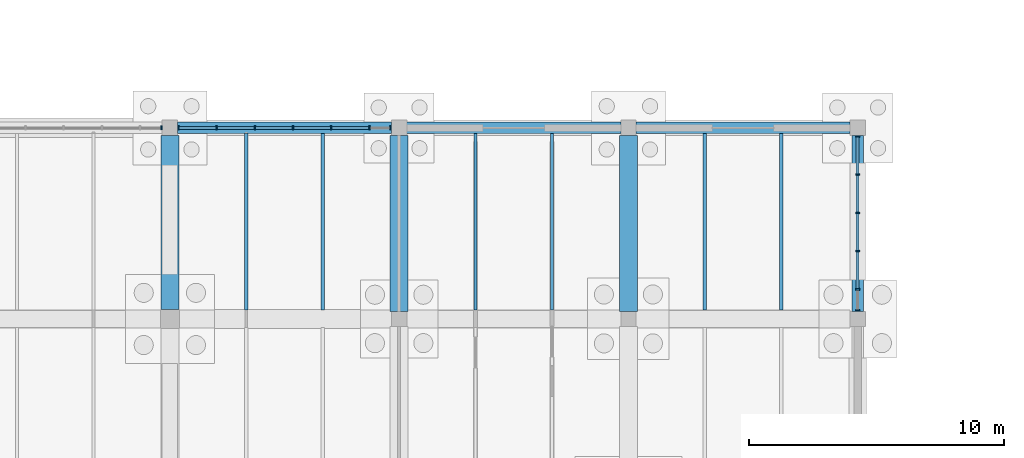
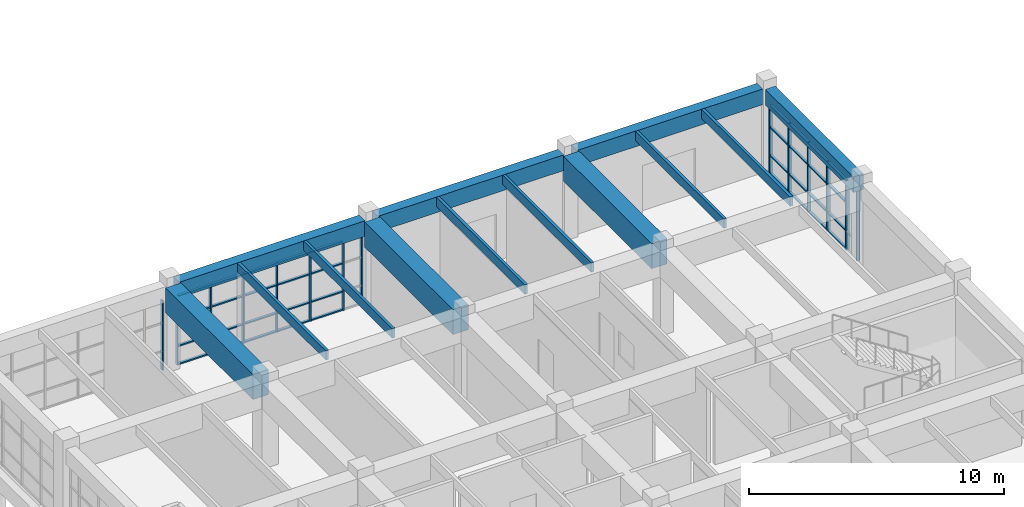
# One storey, part 38 of 93: 50 members, 13 beams, 3 elements without a shape of their own.
"""IFC4 building model written with IfcOpenShell, lengths in metres."""

from ifc_helpers import new_model, si_unit, direction, frame, origin, origin_2d, place, context, subcontext, project, spatial, rectangle, extrude, material, layer, layer_set, material_profile, profile_set, type_object, element, aggregate, save


model = new_model("IFC4")

# Units and contexts
model_context = context("Model", 3, precision=1e-05, world=origin(), true_north=direction((0.0, 1.0)))
body_context = subcontext(model_context, "Body", "Model", "MODEL_VIEW")
ifc_project = project(units=[si_unit("LENGTHUNIT", "METRE"), si_unit("AREAUNIT", "SQUARE_METRE"), si_unit("VOLUMEUNIT", "CUBIC_METRE"), si_unit("PLANEANGLEUNIT", "RADIAN"), si_unit("MASSUNIT", "GRAM", prefix="KILO")], contexts=[model_context])

# Site, building, storey
site_placement = place(None, origin())
site = spatial("IfcSite", under=ifc_project, at=site_placement, CompositionType="ELEMENT")
building_placement = place(site_placement, origin())
building = spatial("IfcBuilding", under=site, at=building_placement, Name="Marnridge Secondary College", CompositionType="ELEMENT")
storey_placement = place(building_placement, origin())
storey = spatial("IfcBuildingStorey", under=building, at=storey_placement, Name="L00", CompositionType="ELEMENT", Elevation=0.0)

# Beams
ifc_material_1 = material(Name="Engineered timber LVL E13.2", Category="wood")
ifc_material_profile_1 = material_profile(ifc_material_1, rectangle(XDim=0.1259765625, YDim=0.449951171875, at=origin_2d()), Name="LVL 126x450")
ifc_profile_set_1 = profile_set([ifc_material_profile_1], Name="Engineered timber LVL E13.2")
beam_type_1 = type_object("IfcBeamType", Name="BM-LVL450-INT", PredefinedType="JOIST", material=ifc_profile_set_1)
for number, where, z_axis, x_axis, name in (
    (1, (66.0, 75.343994140625, 3.85498046875), (0.0, 1.0, 0.0), (-1.0, 0.0, 0.0), "Beam BJ-L00-0112"),
    (2, (69.0, 75.343994140625, 3.85498046875), (0.0, 1.0, 0.0), (-1.0, 0.0, 0.0), "Beam BJ-L00-0113"),
    (3, (75.0, 75.343994140625, 3.85498046875), (0.0, 1.0, 0.0), (-1.0, 0.0, 0.0), "Beam BJ-L00-0124"),
    (4, (78.0, 75.343994140625, 3.85498046875), (0.0, 1.0, 0.0), (-1.0, 0.0, 0.0), "Beam BJ-L00-0125"),
    (5, (84.0, 75.343994140625, 3.85498046875), (0.0, 1.0, 0.0), (-1.0, 0.0, 0.0), "Beam BJ-L00-0134"),
    (6, (87.0, 75.343994140625, 3.85498046875), (0.0, 1.0, 0.0), (-1.0, 0.0, 0.0), "Beam BJ-L00-0135"),
):
    element("IfcBeam", number, at=place(storey_placement, frame(where, z_axis=z_axis, x_axis=x_axis)), inside=storey, type_object=beam_type_1, Name=name, PredefinedType="JOIST", context=body_context, shape_type="SweptSolid", body=[
        extrude(rectangle(XDim=0.1259765625, YDim=0.449951171875, at=origin_2d()), origin(), (0.0, 0.0, 1.0), 6.93701171875),
    ])
ifc_material_2 = material(Name="Concrete C40/50 (AS 3600 N40, 40 MPa)", Category="concrete")
ifc_material_profile_2 = material_profile(ifc_material_2, rectangle(XDim=0.449951171875, YDim=0.75, at=origin_2d()), Name="RC 450x750")
ifc_profile_set_2 = profile_set([ifc_material_profile_2], Name="Concrete C40/50 (AS 3600 N40, 40 MPa)")
beam_type_2 = type_object("IfcBeamType", Name="BM-RC4575-EXT", PredefinedType="SPANDREL", material=ifc_profile_set_2)
for number, where, z_axis, x_axis, name in (
    (7, (63.2939453125, 82.5, 3.705078125), (1.0, 0.0, 0.0), (0.0, 1.0, 0.0), "Beam BS-L00-0065"),
    (8, (72.2939453125, 82.5, 3.705078125), (1.0, 0.0, 0.0), (0.0, 1.0, 0.0), "Beam BS-L00-0078"),
    (9, (81.2939453125, 82.5, 3.705078125), (1.0, 0.0, 0.0), (0.0, 1.0, 0.0), "Beam BS-L00-0091"),
):
    element("IfcBeam", number, at=place(storey_placement, frame(where, z_axis=z_axis, x_axis=x_axis)), inside=storey, type_object=beam_type_2, Name=name, PredefinedType="SPANDREL", context=body_context, shape_type="SweptSolid", body=[
        extrude(rectangle(XDim=0.449951171875, YDim=0.75, at=origin_2d()), origin(), (0.0, 0.0, 1.0), 8.412109375),
    ])
beam_1_placement = place(storey_placement, frame((90.0, 75.2939453125, 3.705078125), z_axis=(0.0, 1.0, 0.0), x_axis=(-1.0, 0.0, 0.0)))
element("IfcBeam", 10, at=beam_1_placement, inside=storey, type_object=beam_type_2, Name="Beam BS-L00-0092", PredefinedType="SPANDREL", context=body_context, shape_type="SweptSolid", body=[
    extrude(rectangle(XDim=0.449951171875, YDim=0.75, at=origin_2d()), origin(), (0.0, 0.0, 1.0), 6.912109375),
])
ifc_material_3 = material(Name="Concrete C50/60 (AS 3600 N50, 50 MPa)", Category="concrete")
ifc_material_profile_3 = material_profile(ifc_material_3, rectangle(XDim=0.699951171875, YDim=1.199951171875, at=origin_2d()), Name="RC 700x1200")
ifc_profile_set_3 = profile_set([ifc_material_profile_3], Name="Concrete C50/60 (AS 3600 N50, 50 MPa)")
beam_type_3 = type_object("IfcBeamType", Name="BM-RC7012-INT", PredefinedType="BEAM", material=ifc_profile_set_3)
beam_2_placement = place(storey_placement, frame((63.0, 75.368896484375, 3.47998046875), z_axis=(0.0, 1.0, 0.0), x_axis=(-1.0, 0.0, 0.0)))
element("IfcBeam", 11, at=beam_2_placement, inside=storey, type_object=beam_type_3, Name="Beam B-L00-0053", PredefinedType="BEAM", context=body_context, shape_type="SweptSolid", body=[
    extrude(rectangle(XDim=0.699951171875, YDim=1.199951171875, at=origin_2d()), origin(), (0.0, 0.0, 1.0), 6.837158203125),
])
for number, where, z_axis, x_axis, name in (
    (12, (72.0, 75.2939453125, 3.47998046875), (0.0, 1.0, 0.0), (-1.0, 0.0, 0.0), "Beam B-L00-0066"),
    (13, (81.0, 75.2939453125, 3.47998046875), (0.0, 1.0, 0.0), (-1.0, 0.0, 0.0), "Beam B-L00-0079"),
):
    element("IfcBeam", number, at=place(storey_placement, frame(where, z_axis=z_axis, x_axis=x_axis)), inside=storey, type_object=beam_type_3, Name=name, PredefinedType="BEAM", context=body_context, shape_type="SweptSolid", body=[
        extrude(rectangle(XDim=0.699951171875, YDim=1.199951171875, at=origin_2d()), origin(), (0.0, 0.0, 1.0), 6.912109375),
    ])

# Curtain wall, member
ifc_material_4 = material(Name="Thermally broken aluminium and low-E glazing", Category="aluminium")
ifc_layer = layer(ifc_material_4, 0.159912109375)
ifc_layer_set = layer_set([ifc_layer], Name="CW-MOD-1500")
curtain_wall_type = type_object("IfcCurtainWallType", Name="CW-MOD-1500", PredefinedType="NOTDEFINED", material=ifc_layer_set)
curtain_wall_1_placement = place(storey_placement, origin())
curtain_wall_1 = element("IfcCurtainWall", 14, at=curtain_wall_1_placement, inside=storey, type_object=curtain_wall_type, Name="Unitised curtain wall CW-L00-001", PredefinedType="NOTDEFINED")
ifc_material_5 = material(Name="Anodised aluminium 6063-T6", Category="aluminium")
ifc_material_profile_4 = material_profile(ifc_material_5, rectangle(XDim=0.06005859375, YDim=0.159912109375, at=origin_2d()), Name="ALU 60x160")
ifc_profile_set_4 = profile_set([ifc_material_profile_4], Name="Anodised aluminium 6063-T6")
member_type_1 = type_object("IfcMemberType", Name="CWM-ALU160", PredefinedType="MULLION", material=ifc_profile_set_4)
member_1_placement = place(storey_placement, frame((62.666015625, 82.5, 0.0), z_axis=(0.0, 0.0, 1.0), x_axis=(1.0, 0.0, 0.0)))
member_1 = element("IfcMember", 15, at=member_1_placement, type_object=member_type_1, Name="CW-L00-001 mullion 7", PredefinedType="MULLION", context=body_context, shape_type="SweptSolid", body=[
    extrude(rectangle(XDim=0.06005859375, YDim=0.159912109375, at=origin_2d()), origin(), (0.0, 0.0, 1.0), 3.322021484375),
])
aggregate(curtain_wall_1, [member_1])

# Curtain wall, members
curtain_wall_2_placement = place(storey_placement, origin())
curtain_wall_2 = element("IfcCurtainWall", 16, at=curtain_wall_2_placement, inside=storey, type_object=curtain_wall_type, Name="Unitised curtain wall CW-L00-002", PredefinedType="NOTDEFINED")
member_2_placement = place(storey_placement, frame((63.333984375, 82.5, 0.0), z_axis=(0.0, 0.0, 1.0), x_axis=(1.0, 0.0, 0.0)))
member_2 = element("IfcMember", 17, at=member_2_placement, type_object=member_type_1, Name="CW-L00-002 mullion 1", PredefinedType="MULLION", context=body_context, shape_type="SweptSolid", body=[
    extrude(rectangle(XDim=0.06005859375, YDim=0.159912109375, at=origin_2d()), origin(), (0.0, 0.0, 1.0), 3.322021484375),
])
member_3_placement = place(storey_placement, frame((64.833984375, 82.5, 0.0), z_axis=(0.0, 0.0, 1.0), x_axis=(1.0, 0.0, 0.0)))
member_3 = element("IfcMember", 18, at=member_3_placement, type_object=member_type_1, Name="CW-L00-002 mullion 2", PredefinedType="MULLION", context=body_context, shape_type="SweptSolid", body=[
    extrude(rectangle(XDim=0.06005859375, YDim=0.159912109375, at=origin_2d()), origin(), (0.0, 0.0, 1.0), 3.322021484375),
])
member_4_placement = place(storey_placement, frame((66.333984375, 82.5, 0.0), z_axis=(0.0, 0.0, 1.0), x_axis=(1.0, 0.0, 0.0)))
member_4 = element("IfcMember", 19, at=member_4_placement, type_object=member_type_1, Name="CW-L00-002 mullion 3", PredefinedType="MULLION", context=body_context, shape_type="SweptSolid", body=[
    extrude(rectangle(XDim=0.06005859375, YDim=0.159912109375, at=origin_2d()), origin(), (0.0, 0.0, 1.0), 3.322021484375),
])
member_5_placement = place(storey_placement, frame((67.833984375, 82.5, 0.0), z_axis=(0.0, 0.0, 1.0), x_axis=(1.0, 0.0, 0.0)))
member_5 = element("IfcMember", 20, at=member_5_placement, type_object=member_type_1, Name="CW-L00-002 mullion 4", PredefinedType="MULLION", context=body_context, shape_type="SweptSolid", body=[
    extrude(rectangle(XDim=0.06005859375, YDim=0.159912109375, at=origin_2d()), origin(), (0.0, 0.0, 1.0), 3.322021484375),
])
member_6_placement = place(storey_placement, frame((69.333984375, 82.5, 0.0), z_axis=(0.0, 0.0, 1.0), x_axis=(1.0, 0.0, 0.0)))
member_6 = element("IfcMember", 21, at=member_6_placement, type_object=member_type_1, Name="CW-L00-002 mullion 5", PredefinedType="MULLION", context=body_context, shape_type="SweptSolid", body=[
    extrude(rectangle(XDim=0.06005859375, YDim=0.159912109375, at=origin_2d()), origin(), (0.0, 0.0, 1.0), 3.322021484375),
])
member_7_placement = place(storey_placement, frame((70.833984375, 82.5, 0.0), z_axis=(0.0, 0.0, 1.0), x_axis=(1.0, 0.0, 0.0)))
member_7 = element("IfcMember", 22, at=member_7_placement, type_object=member_type_1, Name="CW-L00-002 mullion 6", PredefinedType="MULLION", context=body_context, shape_type="SweptSolid", body=[
    extrude(rectangle(XDim=0.06005859375, YDim=0.159912109375, at=origin_2d()), origin(), (0.0, 0.0, 1.0), 3.322021484375),
])
member_8_placement = place(storey_placement, frame((71.666015625, 82.5, 0.0), z_axis=(0.0, 0.0, 1.0), x_axis=(1.0, 0.0, 0.0)))
member_8 = element("IfcMember", 23, at=member_8_placement, type_object=member_type_1, Name="CW-L00-002 mullion 7", PredefinedType="MULLION", context=body_context, shape_type="SweptSolid", body=[
    extrude(rectangle(XDim=0.06005859375, YDim=0.159912109375, at=origin_2d()), origin(), (0.0, 0.0, 1.0), 3.322021484375),
])

curtain_wall_3_placement = place(storey_placement, origin())
curtain_wall_3 = element("IfcCurtainWall", 24, at=curtain_wall_3_placement, inside=storey, type_object=curtain_wall_type, Name="Unitised curtain wall CW-L00-003", PredefinedType="NOTDEFINED")
member_9_placement = place(storey_placement, frame((90.0, 82.166015625, 0.0), z_axis=(0.0, 0.0, 1.0), x_axis=(0.0, -1.0, 0.0)))
member_9 = element("IfcMember", 25, at=member_9_placement, type_object=member_type_1, Name="CW-L00-003 mullion 1", PredefinedType="MULLION", context=body_context, shape_type="SweptSolid", body=[
    extrude(rectangle(XDim=0.06005859375, YDim=0.159912109375, at=origin_2d()), origin(), (0.0, 0.0, 1.0), 3.322021484375),
])
member_10_placement = place(storey_placement, frame((90.0, 80.666015625, 0.0), z_axis=(0.0, 0.0, 1.0), x_axis=(0.0, -1.0, 0.0)))
member_10 = element("IfcMember", 26, at=member_10_placement, type_object=member_type_1, Name="CW-L00-003 mullion 2", PredefinedType="MULLION", context=body_context, shape_type="SweptSolid", body=[
    extrude(rectangle(XDim=0.06005859375, YDim=0.159912109375, at=origin_2d()), origin(), (0.0, 0.0, 1.0), 3.322021484375),
])
member_11_placement = place(storey_placement, frame((90.0, 79.166015625, 0.0), z_axis=(0.0, 0.0, 1.0), x_axis=(0.0, -1.0, 0.0)))
member_11 = element("IfcMember", 27, at=member_11_placement, type_object=member_type_1, Name="CW-L00-003 mullion 3", PredefinedType="MULLION", context=body_context, shape_type="SweptSolid", body=[
    extrude(rectangle(XDim=0.06005859375, YDim=0.159912109375, at=origin_2d()), origin(), (0.0, 0.0, 1.0), 3.322021484375),
])
member_12_placement = place(storey_placement, frame((90.0, 77.666015625, 0.0), z_axis=(0.0, 0.0, 1.0), x_axis=(0.0, -1.0, 0.0)))
member_12 = element("IfcMember", 28, at=member_12_placement, type_object=member_type_1, Name="CW-L00-003 mullion 4", PredefinedType="MULLION", context=body_context, shape_type="SweptSolid", body=[
    extrude(rectangle(XDim=0.06005859375, YDim=0.159912109375, at=origin_2d()), origin(), (0.0, 0.0, 1.0), 3.322021484375),
])
member_13_placement = place(storey_placement, frame((90.0, 76.166015625, 0.0), z_axis=(0.0, 0.0, 1.0), x_axis=(0.0, -1.0, 0.0)))
member_13 = element("IfcMember", 29, at=member_13_placement, type_object=member_type_1, Name="CW-L00-003 mullion 5", PredefinedType="MULLION", context=body_context, shape_type="SweptSolid", body=[
    extrude(rectangle(XDim=0.06005859375, YDim=0.159912109375, at=origin_2d()), origin(), (0.0, 0.0, 1.0), 3.322021484375),
])
member_14_placement = place(storey_placement, frame((90.0, 75.333984375, 0.0), z_axis=(0.0, 0.0, 1.0), x_axis=(0.0, -1.0, 0.0)))
member_14 = element("IfcMember", 30, at=member_14_placement, type_object=member_type_1, Name="CW-L00-003 mullion 6", PredefinedType="MULLION", context=body_context, shape_type="SweptSolid", body=[
    extrude(rectangle(XDim=0.06005859375, YDim=0.159912109375, at=origin_2d()), origin(), (0.0, 0.0, 1.0), 3.322021484375),
])

# Member
ifc_material_6 = material(Name="Anodised aluminium 6063-T6", Category="aluminium")
ifc_material_profile_5 = material_profile(ifc_material_6, rectangle(XDim=0.06005859375, YDim=0.1201171875, at=origin_2d()), Name="ALU 60x120")
ifc_profile_set_5 = profile_set([ifc_material_profile_5], Name="Anodised aluminium 6063-T6")
member_type_2 = type_object("IfcMemberType", Name="CWT-ALU120", PredefinedType="USERDEFINED", material=ifc_profile_set_5)
member_15_placement = place(storey_placement, frame((63.364013671875, 82.5, 0.030029296875), z_axis=(1.0, 0.0, 0.0), x_axis=(0.0, 0.0, 1.0)))
member_15 = element("IfcMember", 31, at=member_15_placement, type_object=member_type_2, Name="CW-L00-002 transom 1.1", ObjectType="TRANSOM", PredefinedType="USERDEFINED", context=body_context, shape_type="SweptSolid", body=[
    extrude(rectangle(XDim=0.06005859375, YDim=0.1201171875, at=origin_2d()), origin(), (0.0, 0.0, 1.0), 1.43994140625),
])

member_16_placement = place(storey_placement, frame((63.364013671875, 82.5, 0.89990234375), z_axis=(1.0, 0.0, 0.0), x_axis=(0.0, 0.0, 1.0)))
member_16 = element("IfcMember", 32, at=member_16_placement, type_object=member_type_2, Name="CW-L00-002 transom 1.2", ObjectType="TRANSOM", PredefinedType="USERDEFINED", context=body_context, shape_type="SweptSolid", body=[
    extrude(rectangle(XDim=0.06005859375, YDim=0.1201171875, at=origin_2d()), origin(), (0.0, 0.0, 1.0), 1.43994140625),
])

member_17_placement = place(storey_placement, frame((63.364013671875, 82.5, 2.25), z_axis=(1.0, 0.0, 0.0), x_axis=(0.0, 0.0, 1.0)))
member_17 = element("IfcMember", 33, at=member_17_placement, type_object=member_type_2, Name="CW-L00-002 transom 1.3", ObjectType="TRANSOM", PredefinedType="USERDEFINED", context=body_context, shape_type="SweptSolid", body=[
    extrude(rectangle(XDim=0.06005859375, YDim=0.1201171875, at=origin_2d()), origin(), (0.0, 0.0, 1.0), 1.43994140625),
])

member_18_placement = place(storey_placement, frame((63.364013671875, 82.5, 3.2919921875), z_axis=(1.0, 0.0, 0.0), x_axis=(0.0, 0.0, 1.0)))
member_18 = element("IfcMember", 34, at=member_18_placement, type_object=member_type_2, Name="CW-L00-002 transom 1.4", ObjectType="TRANSOM", PredefinedType="USERDEFINED", context=body_context, shape_type="SweptSolid", body=[
    extrude(rectangle(XDim=0.06005859375, YDim=0.1201171875, at=origin_2d()), origin(), (0.0, 0.0, 1.0), 1.43994140625),
])

member_19_placement = place(storey_placement, frame((64.864013671875, 82.5, 0.030029296875), z_axis=(1.0, 0.0, 0.0), x_axis=(0.0, 0.0, 1.0)))
member_19 = element("IfcMember", 35, at=member_19_placement, type_object=member_type_2, Name="CW-L00-002 transom 2.1", ObjectType="TRANSOM", PredefinedType="USERDEFINED", context=body_context, shape_type="SweptSolid", body=[
    extrude(rectangle(XDim=0.06005859375, YDim=0.1201171875, at=origin_2d()), origin(), (0.0, 0.0, 1.0), 1.43994140625),
])

member_20_placement = place(storey_placement, frame((64.864013671875, 82.5, 0.89990234375), z_axis=(1.0, 0.0, 0.0), x_axis=(0.0, 0.0, 1.0)))
member_20 = element("IfcMember", 36, at=member_20_placement, type_object=member_type_2, Name="CW-L00-002 transom 2.2", ObjectType="TRANSOM", PredefinedType="USERDEFINED", context=body_context, shape_type="SweptSolid", body=[
    extrude(rectangle(XDim=0.06005859375, YDim=0.1201171875, at=origin_2d()), origin(), (0.0, 0.0, 1.0), 1.43994140625),
])

member_21_placement = place(storey_placement, frame((64.864013671875, 82.5, 2.25), z_axis=(1.0, 0.0, 0.0), x_axis=(0.0, 0.0, 1.0)))
member_21 = element("IfcMember", 37, at=member_21_placement, type_object=member_type_2, Name="CW-L00-002 transom 2.3", ObjectType="TRANSOM", PredefinedType="USERDEFINED", context=body_context, shape_type="SweptSolid", body=[
    extrude(rectangle(XDim=0.06005859375, YDim=0.1201171875, at=origin_2d()), origin(), (0.0, 0.0, 1.0), 1.43994140625),
])

member_22_placement = place(storey_placement, frame((64.864013671875, 82.5, 3.2919921875), z_axis=(1.0, 0.0, 0.0), x_axis=(0.0, 0.0, 1.0)))
member_22 = element("IfcMember", 38, at=member_22_placement, type_object=member_type_2, Name="CW-L00-002 transom 2.4", ObjectType="TRANSOM", PredefinedType="USERDEFINED", context=body_context, shape_type="SweptSolid", body=[
    extrude(rectangle(XDim=0.06005859375, YDim=0.1201171875, at=origin_2d()), origin(), (0.0, 0.0, 1.0), 1.43994140625),
])

member_23_placement = place(storey_placement, frame((66.364013671875, 82.5, 0.030029296875), z_axis=(1.0, 0.0, 0.0), x_axis=(0.0, 0.0, 1.0)))
member_23 = element("IfcMember", 39, at=member_23_placement, type_object=member_type_2, Name="CW-L00-002 transom 3.1", ObjectType="TRANSOM", PredefinedType="USERDEFINED", context=body_context, shape_type="SweptSolid", body=[
    extrude(rectangle(XDim=0.06005859375, YDim=0.1201171875, at=origin_2d()), origin(), (0.0, 0.0, 1.0), 1.43994140625),
])

member_24_placement = place(storey_placement, frame((66.364013671875, 82.5, 0.89990234375), z_axis=(1.0, 0.0, 0.0), x_axis=(0.0, 0.0, 1.0)))
member_24 = element("IfcMember", 40, at=member_24_placement, type_object=member_type_2, Name="CW-L00-002 transom 3.2", ObjectType="TRANSOM", PredefinedType="USERDEFINED", context=body_context, shape_type="SweptSolid", body=[
    extrude(rectangle(XDim=0.06005859375, YDim=0.1201171875, at=origin_2d()), origin(), (0.0, 0.0, 1.0), 1.43994140625),
])

member_25_placement = place(storey_placement, frame((66.364013671875, 82.5, 2.25), z_axis=(1.0, 0.0, 0.0), x_axis=(0.0, 0.0, 1.0)))
member_25 = element("IfcMember", 41, at=member_25_placement, type_object=member_type_2, Name="CW-L00-002 transom 3.3", ObjectType="TRANSOM", PredefinedType="USERDEFINED", context=body_context, shape_type="SweptSolid", body=[
    extrude(rectangle(XDim=0.06005859375, YDim=0.1201171875, at=origin_2d()), origin(), (0.0, 0.0, 1.0), 1.43994140625),
])

member_26_placement = place(storey_placement, frame((66.364013671875, 82.5, 3.2919921875), z_axis=(1.0, 0.0, 0.0), x_axis=(0.0, 0.0, 1.0)))
member_26 = element("IfcMember", 42, at=member_26_placement, type_object=member_type_2, Name="CW-L00-002 transom 3.4", ObjectType="TRANSOM", PredefinedType="USERDEFINED", context=body_context, shape_type="SweptSolid", body=[
    extrude(rectangle(XDim=0.06005859375, YDim=0.1201171875, at=origin_2d()), origin(), (0.0, 0.0, 1.0), 1.43994140625),
])

member_27_placement = place(storey_placement, frame((67.864013671875, 82.5, 0.030029296875), z_axis=(1.0, 0.0, 0.0), x_axis=(0.0, 0.0, 1.0)))
member_27 = element("IfcMember", 43, at=member_27_placement, type_object=member_type_2, Name="CW-L00-002 transom 4.1", ObjectType="TRANSOM", PredefinedType="USERDEFINED", context=body_context, shape_type="SweptSolid", body=[
    extrude(rectangle(XDim=0.06005859375, YDim=0.1201171875, at=origin_2d()), origin(), (0.0, 0.0, 1.0), 1.43994140625),
])

member_28_placement = place(storey_placement, frame((67.864013671875, 82.5, 0.89990234375), z_axis=(1.0, 0.0, 0.0), x_axis=(0.0, 0.0, 1.0)))
member_28 = element("IfcMember", 44, at=member_28_placement, type_object=member_type_2, Name="CW-L00-002 transom 4.2", ObjectType="TRANSOM", PredefinedType="USERDEFINED", context=body_context, shape_type="SweptSolid", body=[
    extrude(rectangle(XDim=0.06005859375, YDim=0.1201171875, at=origin_2d()), origin(), (0.0, 0.0, 1.0), 1.43994140625),
])

member_29_placement = place(storey_placement, frame((67.864013671875, 82.5, 2.25), z_axis=(1.0, 0.0, 0.0), x_axis=(0.0, 0.0, 1.0)))
member_29 = element("IfcMember", 45, at=member_29_placement, type_object=member_type_2, Name="CW-L00-002 transom 4.3", ObjectType="TRANSOM", PredefinedType="USERDEFINED", context=body_context, shape_type="SweptSolid", body=[
    extrude(rectangle(XDim=0.06005859375, YDim=0.1201171875, at=origin_2d()), origin(), (0.0, 0.0, 1.0), 1.43994140625),
])

member_30_placement = place(storey_placement, frame((67.864013671875, 82.5, 3.2919921875), z_axis=(1.0, 0.0, 0.0), x_axis=(0.0, 0.0, 1.0)))
member_30 = element("IfcMember", 46, at=member_30_placement, type_object=member_type_2, Name="CW-L00-002 transom 4.4", ObjectType="TRANSOM", PredefinedType="USERDEFINED", context=body_context, shape_type="SweptSolid", body=[
    extrude(rectangle(XDim=0.06005859375, YDim=0.1201171875, at=origin_2d()), origin(), (0.0, 0.0, 1.0), 1.43994140625),
])

member_31_placement = place(storey_placement, frame((69.364013671875, 82.5, 0.030029296875), z_axis=(1.0, 0.0, 0.0), x_axis=(0.0, 0.0, 1.0)))
member_31 = element("IfcMember", 47, at=member_31_placement, type_object=member_type_2, Name="CW-L00-002 transom 5.1", ObjectType="TRANSOM", PredefinedType="USERDEFINED", context=body_context, shape_type="SweptSolid", body=[
    extrude(rectangle(XDim=0.06005859375, YDim=0.1201171875, at=origin_2d()), origin(), (0.0, 0.0, 1.0), 1.43994140625),
])

member_32_placement = place(storey_placement, frame((69.364013671875, 82.5, 0.89990234375), z_axis=(1.0, 0.0, 0.0), x_axis=(0.0, 0.0, 1.0)))
member_32 = element("IfcMember", 48, at=member_32_placement, type_object=member_type_2, Name="CW-L00-002 transom 5.2", ObjectType="TRANSOM", PredefinedType="USERDEFINED", context=body_context, shape_type="SweptSolid", body=[
    extrude(rectangle(XDim=0.06005859375, YDim=0.1201171875, at=origin_2d()), origin(), (0.0, 0.0, 1.0), 1.43994140625),
])

member_33_placement = place(storey_placement, frame((69.364013671875, 82.5, 2.25), z_axis=(1.0, 0.0, 0.0), x_axis=(0.0, 0.0, 1.0)))
member_33 = element("IfcMember", 49, at=member_33_placement, type_object=member_type_2, Name="CW-L00-002 transom 5.3", ObjectType="TRANSOM", PredefinedType="USERDEFINED", context=body_context, shape_type="SweptSolid", body=[
    extrude(rectangle(XDim=0.06005859375, YDim=0.1201171875, at=origin_2d()), origin(), (0.0, 0.0, 1.0), 1.43994140625),
])

member_34_placement = place(storey_placement, frame((69.364013671875, 82.5, 3.2919921875), z_axis=(1.0, 0.0, 0.0), x_axis=(0.0, 0.0, 1.0)))
member_34 = element("IfcMember", 50, at=member_34_placement, type_object=member_type_2, Name="CW-L00-002 transom 5.4", ObjectType="TRANSOM", PredefinedType="USERDEFINED", context=body_context, shape_type="SweptSolid", body=[
    extrude(rectangle(XDim=0.06005859375, YDim=0.1201171875, at=origin_2d()), origin(), (0.0, 0.0, 1.0), 1.43994140625),
])

aggregate(curtain_wall_2, [member_2, member_3, member_4, member_5, member_6, member_7, member_8, member_15, member_16, member_17, member_18, member_19, member_20, member_21, member_22, member_23, member_24, member_25, member_26, member_27, member_28, member_29, member_30, member_31, member_32, member_33, member_34])

member_35_placement = place(storey_placement, frame((90.0, 82.135986328125, 0.030029296875), z_axis=(0.0, -1.0, 0.0), x_axis=(0.0, 0.0, 1.0)))
member_35 = element("IfcMember", 51, at=member_35_placement, type_object=member_type_2, Name="CW-L00-003 transom 1.1", ObjectType="TRANSOM", PredefinedType="USERDEFINED", context=body_context, shape_type="SweptSolid", body=[
    extrude(rectangle(XDim=0.06005859375, YDim=0.1201171875, at=origin_2d()), origin(), (0.0, 0.0, 1.0), 1.43994140625),
])

member_36_placement = place(storey_placement, frame((90.0, 82.135986328125, 0.89990234375), z_axis=(0.0, -1.0, 0.0), x_axis=(0.0, 0.0, 1.0)))
member_36 = element("IfcMember", 52, at=member_36_placement, type_object=member_type_2, Name="CW-L00-003 transom 1.2", ObjectType="TRANSOM", PredefinedType="USERDEFINED", context=body_context, shape_type="SweptSolid", body=[
    extrude(rectangle(XDim=0.06005859375, YDim=0.1201171875, at=origin_2d()), origin(), (0.0, 0.0, 1.0), 1.43994140625),
])

member_37_placement = place(storey_placement, frame((90.0, 82.135986328125, 2.25), z_axis=(0.0, -1.0, 0.0), x_axis=(0.0, 0.0, 1.0)))
member_37 = element("IfcMember", 53, at=member_37_placement, type_object=member_type_2, Name="CW-L00-003 transom 1.3", ObjectType="TRANSOM", PredefinedType="USERDEFINED", context=body_context, shape_type="SweptSolid", body=[
    extrude(rectangle(XDim=0.06005859375, YDim=0.1201171875, at=origin_2d()), origin(), (0.0, 0.0, 1.0), 1.43994140625),
])

member_38_placement = place(storey_placement, frame((90.0, 82.135986328125, 3.2919921875), z_axis=(0.0, -1.0, 0.0), x_axis=(0.0, 0.0, 1.0)))
member_38 = element("IfcMember", 54, at=member_38_placement, type_object=member_type_2, Name="CW-L00-003 transom 1.4", ObjectType="TRANSOM", PredefinedType="USERDEFINED", context=body_context, shape_type="SweptSolid", body=[
    extrude(rectangle(XDim=0.06005859375, YDim=0.1201171875, at=origin_2d()), origin(), (0.0, 0.0, 1.0), 1.43994140625),
])

member_39_placement = place(storey_placement, frame((90.0, 80.635986328125, 0.030029296875), z_axis=(0.0, -1.0, 0.0), x_axis=(0.0, 0.0, 1.0)))
member_39 = element("IfcMember", 55, at=member_39_placement, type_object=member_type_2, Name="CW-L00-003 transom 2.1", ObjectType="TRANSOM", PredefinedType="USERDEFINED", context=body_context, shape_type="SweptSolid", body=[
    extrude(rectangle(XDim=0.06005859375, YDim=0.1201171875, at=origin_2d()), origin(), (0.0, 0.0, 1.0), 1.43994140625),
])

member_40_placement = place(storey_placement, frame((90.0, 80.635986328125, 0.89990234375), z_axis=(0.0, -1.0, 0.0), x_axis=(0.0, 0.0, 1.0)))
member_40 = element("IfcMember", 56, at=member_40_placement, type_object=member_type_2, Name="CW-L00-003 transom 2.2", ObjectType="TRANSOM", PredefinedType="USERDEFINED", context=body_context, shape_type="SweptSolid", body=[
    extrude(rectangle(XDim=0.06005859375, YDim=0.1201171875, at=origin_2d()), origin(), (0.0, 0.0, 1.0), 1.43994140625),
])

member_41_placement = place(storey_placement, frame((90.0, 80.635986328125, 2.25), z_axis=(0.0, -1.0, 0.0), x_axis=(0.0, 0.0, 1.0)))
member_41 = element("IfcMember", 57, at=member_41_placement, type_object=member_type_2, Name="CW-L00-003 transom 2.3", ObjectType="TRANSOM", PredefinedType="USERDEFINED", context=body_context, shape_type="SweptSolid", body=[
    extrude(rectangle(XDim=0.06005859375, YDim=0.1201171875, at=origin_2d()), origin(), (0.0, 0.0, 1.0), 1.43994140625),
])

member_42_placement = place(storey_placement, frame((90.0, 80.635986328125, 3.2919921875), z_axis=(0.0, -1.0, 0.0), x_axis=(0.0, 0.0, 1.0)))
member_42 = element("IfcMember", 58, at=member_42_placement, type_object=member_type_2, Name="CW-L00-003 transom 2.4", ObjectType="TRANSOM", PredefinedType="USERDEFINED", context=body_context, shape_type="SweptSolid", body=[
    extrude(rectangle(XDim=0.06005859375, YDim=0.1201171875, at=origin_2d()), origin(), (0.0, 0.0, 1.0), 1.43994140625),
])

member_43_placement = place(storey_placement, frame((90.0, 79.135986328125, 0.030029296875), z_axis=(0.0, -1.0, 0.0), x_axis=(0.0, 0.0, 1.0)))
member_43 = element("IfcMember", 59, at=member_43_placement, type_object=member_type_2, Name="CW-L00-003 transom 3.1", ObjectType="TRANSOM", PredefinedType="USERDEFINED", context=body_context, shape_type="SweptSolid", body=[
    extrude(rectangle(XDim=0.06005859375, YDim=0.1201171875, at=origin_2d()), origin(), (0.0, 0.0, 1.0), 1.43994140625),
])

member_44_placement = place(storey_placement, frame((90.0, 79.135986328125, 0.89990234375), z_axis=(0.0, -1.0, 0.0), x_axis=(0.0, 0.0, 1.0)))
member_44 = element("IfcMember", 60, at=member_44_placement, type_object=member_type_2, Name="CW-L00-003 transom 3.2", ObjectType="TRANSOM", PredefinedType="USERDEFINED", context=body_context, shape_type="SweptSolid", body=[
    extrude(rectangle(XDim=0.06005859375, YDim=0.1201171875, at=origin_2d()), origin(), (0.0, 0.0, 1.0), 1.43994140625),
])

member_45_placement = place(storey_placement, frame((90.0, 79.135986328125, 2.25), z_axis=(0.0, -1.0, 0.0), x_axis=(0.0, 0.0, 1.0)))
member_45 = element("IfcMember", 61, at=member_45_placement, type_object=member_type_2, Name="CW-L00-003 transom 3.3", ObjectType="TRANSOM", PredefinedType="USERDEFINED", context=body_context, shape_type="SweptSolid", body=[
    extrude(rectangle(XDim=0.06005859375, YDim=0.1201171875, at=origin_2d()), origin(), (0.0, 0.0, 1.0), 1.43994140625),
])

member_46_placement = place(storey_placement, frame((90.0, 79.135986328125, 3.2919921875), z_axis=(0.0, -1.0, 0.0), x_axis=(0.0, 0.0, 1.0)))
member_46 = element("IfcMember", 62, at=member_46_placement, type_object=member_type_2, Name="CW-L00-003 transom 3.4", ObjectType="TRANSOM", PredefinedType="USERDEFINED", context=body_context, shape_type="SweptSolid", body=[
    extrude(rectangle(XDim=0.06005859375, YDim=0.1201171875, at=origin_2d()), origin(), (0.0, 0.0, 1.0), 1.43994140625),
])

member_47_placement = place(storey_placement, frame((90.0, 77.635986328125, 0.030029296875), z_axis=(0.0, -1.0, 0.0), x_axis=(0.0, 0.0, 1.0)))
member_47 = element("IfcMember", 63, at=member_47_placement, type_object=member_type_2, Name="CW-L00-003 transom 4.1", ObjectType="TRANSOM", PredefinedType="USERDEFINED", context=body_context, shape_type="SweptSolid", body=[
    extrude(rectangle(XDim=0.06005859375, YDim=0.1201171875, at=origin_2d()), origin(), (0.0, 0.0, 1.0), 1.43994140625),
])

member_48_placement = place(storey_placement, frame((90.0, 77.635986328125, 0.89990234375), z_axis=(0.0, -1.0, 0.0), x_axis=(0.0, 0.0, 1.0)))
member_48 = element("IfcMember", 64, at=member_48_placement, type_object=member_type_2, Name="CW-L00-003 transom 4.2", ObjectType="TRANSOM", PredefinedType="USERDEFINED", context=body_context, shape_type="SweptSolid", body=[
    extrude(rectangle(XDim=0.06005859375, YDim=0.1201171875, at=origin_2d()), origin(), (0.0, 0.0, 1.0), 1.43994140625),
])

member_49_placement = place(storey_placement, frame((90.0, 77.635986328125, 2.25), z_axis=(0.0, -1.0, 0.0), x_axis=(0.0, 0.0, 1.0)))
member_49 = element("IfcMember", 65, at=member_49_placement, type_object=member_type_2, Name="CW-L00-003 transom 4.3", ObjectType="TRANSOM", PredefinedType="USERDEFINED", context=body_context, shape_type="SweptSolid", body=[
    extrude(rectangle(XDim=0.06005859375, YDim=0.1201171875, at=origin_2d()), origin(), (0.0, 0.0, 1.0), 1.43994140625),
])

member_50_placement = place(storey_placement, frame((90.0, 77.635986328125, 3.2919921875), z_axis=(0.0, -1.0, 0.0), x_axis=(0.0, 0.0, 1.0)))
member_50 = element("IfcMember", 66, at=member_50_placement, type_object=member_type_2, Name="CW-L00-003 transom 4.4", ObjectType="TRANSOM", PredefinedType="USERDEFINED", context=body_context, shape_type="SweptSolid", body=[
    extrude(rectangle(XDim=0.06005859375, YDim=0.1201171875, at=origin_2d()), origin(), (0.0, 0.0, 1.0), 1.43994140625),
])

aggregate(curtain_wall_3, [member_9, member_10, member_11, member_12, member_13, member_14, member_35, member_36, member_37, member_38, member_39, member_40, member_41, member_42, member_43, member_44, member_45, member_46, member_47, member_48, member_49, member_50])

save(model, "model.ifc")
